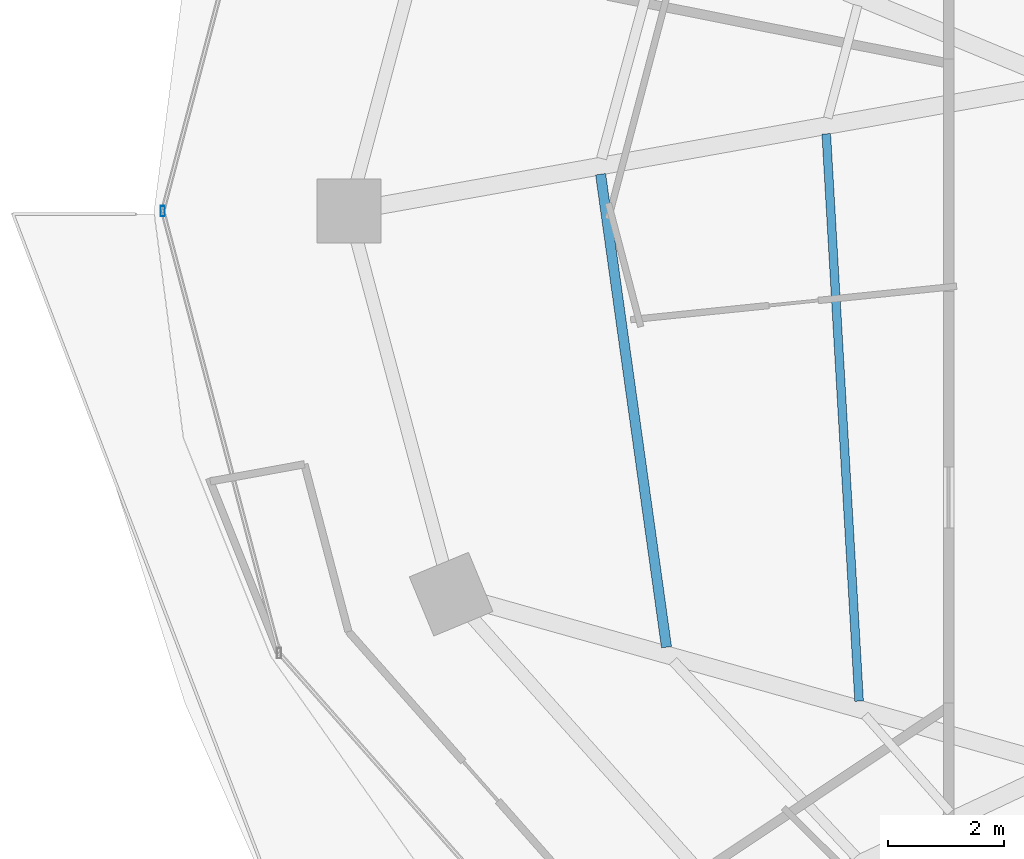
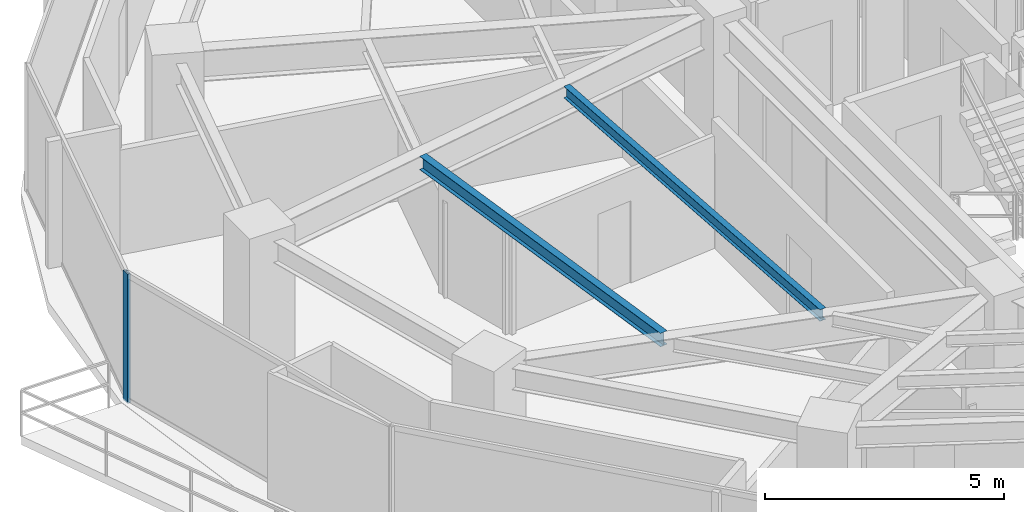
# One storey, part 7 of 29: 2 beams, 1 member, 1 element without a shape of its own.
"""IFC4 building model written with IfcOpenShell, lengths in metres."""

from ifc_helpers import new_model, si_unit, direction, frame, origin, origin_2d, place, context, subcontext, project, spatial, hollow_rectangle, i_section, extrude, material, material_profile, profile_set, type_object, element, aggregate, save


model = new_model("IFC4")

# Units and contexts
model_context = context("Model", 3, precision=1e-05, world=origin(), true_north=direction((0.0, 1.0)))
body_context = subcontext(model_context, "Body", "Model", "MODEL_VIEW")
ifc_project = project(units=[si_unit("LENGTHUNIT", "METRE"), si_unit("AREAUNIT", "SQUARE_METRE"), si_unit("VOLUMEUNIT", "CUBIC_METRE"), si_unit("PLANEANGLEUNIT", "RADIAN"), si_unit("MASSUNIT", "GRAM", prefix="KILO")], contexts=[model_context])

# Site, building, storey
site_placement = place(None, origin())
site = spatial("IfcSite", under=ifc_project, at=site_placement, CompositionType="ELEMENT")
building_placement = place(site_placement, origin())
building = spatial("IfcBuilding", under=site, at=building_placement, Name="Vorneva Point Tower", CompositionType="ELEMENT")
storey_placement = place(building_placement, frame((0.0, 0.0, 82.300048828125)))
storey = spatial("IfcBuildingStorey", under=building, at=storey_placement, Name="L21", CompositionType="ELEMENT", Elevation=82.300048828125)

# Beams
ifc_material_1 = material(Name="Steel S355", Category="steel")
ifc_material_profile_1 = material_profile(ifc_material_1, i_section(OverallWidth=0.14892578125, OverallDepth=0.298095703125, WebThickness=0.005615234375, FlangeThickness=0.008056640625, at=origin_2d()), Name="30B1")
ifc_profile_set_1 = profile_set([ifc_material_profile_1], Name="Steel S355")
beam_type_1 = type_object("IfcBeamType", Name="BM-JST-30B1", PredefinedType="JOIST", material=ifc_profile_set_1)
beam_1_placement = place(storey_placement, frame((23.1494140625, 27.327392578125, 3.091064453125), z_axis=(0.057791133112, -0.998328695838, 0.0), x_axis=(0.998328695838, 0.057791133112, 0.0)))
element("IfcBeam", 1, at=beam_1_placement, inside=storey, type_object=beam_type_1, Name="L21 Secondary Floor Beam 2.09", PredefinedType="JOIST", context=body_context, shape_type="SweptSolid", body=[
    extrude(i_section(OverallWidth=0.14892578125, OverallDepth=0.298095703125, WebThickness=0.005615234375, FlangeThickness=0.008056640625, at=origin_2d()), origin(), (0.0, 0.0, 1.0), 9.762939453125),
])
ifc_material_profile_2 = material_profile(ifc_material_1, i_section(OverallWidth=0.174072265625, OverallDepth=0.345947265625, WebThickness=0.006103515625, FlangeThickness=0.009033203125, at=origin_2d()), Name="35B1")
ifc_profile_set_2 = profile_set([ifc_material_profile_2], Name="Steel S355")
beam_type_2 = type_object("IfcBeamType", Name="BM-SEC-35B1", PredefinedType="BEAM", material=ifc_profile_set_2)
beam_2_placement = place(storey_placement, frame((19.2724609375, 26.633056640625, 3.06689453125), z_axis=(0.137995762833, -0.990432819246, 0.0), x_axis=(0.990432819246, 0.137995762833, 0.0)))
element("IfcBeam", 2, at=beam_2_placement, inside=storey, type_object=beam_type_2, Name="L21 Secondary Floor Beam 1.09", PredefinedType="BEAM", context=body_context, shape_type="SweptSolid", body=[
    extrude(i_section(OverallWidth=0.174072265625, OverallDepth=0.345947265625, WebThickness=0.006103515625, FlangeThickness=0.009033203125, at=origin_2d()), origin(), (0.0, 0.0, 1.0), 8.20361328125),
])

# Curtain wall, member
ifc_material_2 = material(Name="Pale anodised aluminium", Category="aluminium")
curtain_wall_type = type_object("IfcCurtainWallType", Name="CW-HTL-SYS", PredefinedType="NOTDEFINED", material=ifc_material_2)
curtain_wall_placement = place(storey_placement, origin())
curtain_wall = element("IfcCurtainWall", 3, at=curtain_wall_placement, inside=storey, type_object=curtain_wall_type, Name="L21 Unitised Curtain Wall CW-L21-R02", PredefinedType="NOTDEFINED")
ifc_material_profile_3 = material_profile(ifc_material_2, hollow_rectangle(XDim=0.074951171875, YDim=0.179931640625, WallThickness=0.00390625, at=origin_2d()), Name="AL-MUL 180x75x4")
ifc_profile_set_3 = profile_set([ifc_material_profile_3], Name="Pale anodised aluminium")
member_type = type_object("IfcMemberType", Name="CW-MUL-180", PredefinedType="MULLION", material=ifc_profile_set_3)
member_placement = place(storey_placement, frame((11.75, 26.0, -0.0400390625), z_axis=(0.0, 0.0, 1.0), x_axis=(1.0, 0.0, 0.0)))
member = element("IfcMember", 4, at=member_placement, type_object=member_type, Name="CW-L21-R02 Mullion 03", PredefinedType="MULLION", context=body_context, shape_type="SweptSolid", body=[
    extrude(hollow_rectangle(XDim=0.074951171875, YDim=0.179931640625, WallThickness=0.00390625, at=origin_2d()), origin(), (0.0, 0.0, 1.0), 3.31005859375),
])
aggregate(curtain_wall, [member])

save(model, "model.ifc")
